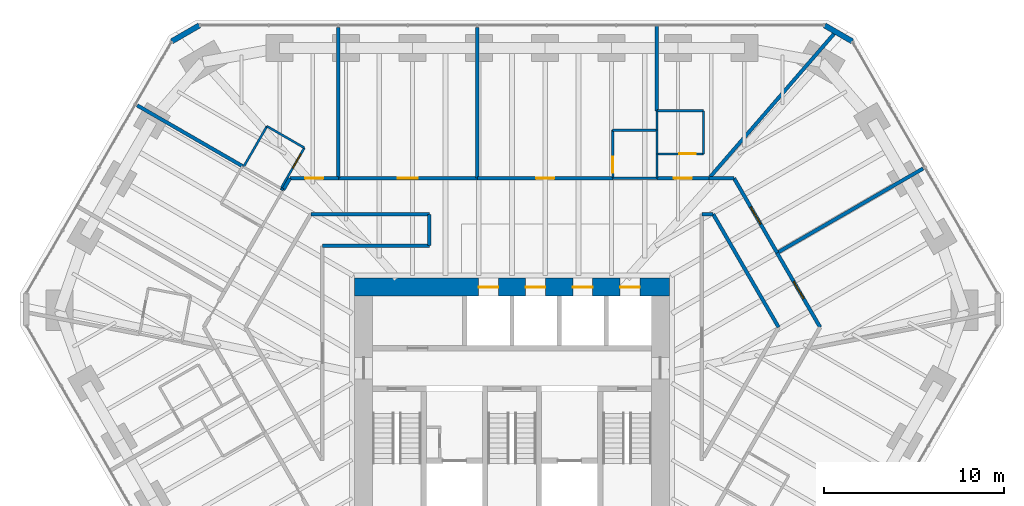
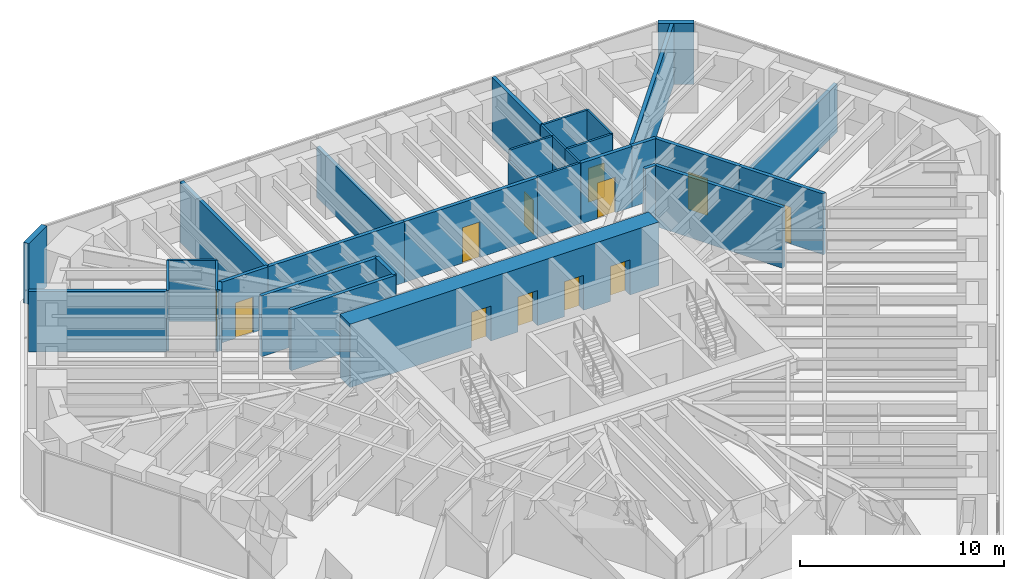
# One storey, part 14 of 16: 35 walls, 13 doors, 13 openings.
"""IFC4 building model written with IfcOpenShell, lengths in metres."""

from ifc_helpers import new_model, si_unit, direction, frame, frame_2d, origin, place, context, subcontext, project, spatial, rectangle, extrude, material, layer, layer_set, type_object, element, fill, save


model = new_model("IFC4")

# Units and contexts
model_context = context("Model", 3, precision=1e-05, world=origin(), true_north=direction((0.0, 1.0)))
body_context = subcontext(model_context, "Body", "Model", "MODEL_VIEW")
ifc_project = project(units=[si_unit("LENGTHUNIT", "METRE"), si_unit("AREAUNIT", "SQUARE_METRE"), si_unit("VOLUMEUNIT", "CUBIC_METRE"), si_unit("PLANEANGLEUNIT", "RADIAN"), si_unit("MASSUNIT", "GRAM", prefix="KILO")], contexts=[model_context])

# Site, building, storey
site_placement = place(None, origin())
site = spatial("IfcSite", under=ifc_project, at=site_placement, CompositionType="ELEMENT")
building_placement = place(site_placement, origin())
building = spatial("IfcBuilding", under=site, at=building_placement, Name="Sandreach Pilgrim Tower", CompositionType="ELEMENT")
storey_placement = place(building_placement, frame((0.0, 0.0, 225.0)))
storey = spatial("IfcBuildingStorey", under=building, at=storey_placement, Name="L56", CompositionType="ELEMENT", Elevation=225.0)

# Walls
ifc_material_1 = material(Name="Moisture-resistant gypsum board on steel studs", Category="steel")
ifc_layer_1 = layer(ifc_material_1, 0.1201171875)
ifc_layer_set_1 = layer_set([ifc_layer_1], Name="Bathroom partition 120")
wall_type_1 = type_object("IfcWallType", Name="Bathroom partition 120", PredefinedType="PARTITIONING", material=ifc_layer_set_1)
wall_1_placement = place(storey_placement, frame((-13.6298828125, 15.550048828125, 0.0), z_axis=(0.0, 0.0, 1.0), x_axis=(-0.498627694264, -0.866816256489, 0.0)))
element("IfcWall", 1, at=wall_1_placement, inside=storey, type_object=wall_type_1, Name="Bathroom partition L56-029", PredefinedType="PARTITIONING", context=body_context, shape_type="SweptSolid", body=[
    extrude(rectangle(XDim=2.607177734375, YDim=0.1201171875, at=frame_2d((1.3037109375, 0.0))), origin(), (0.0, 0.0, 1.0), 3.639892578125),
])
wall_2_placement = place(storey_placement, frame((-12.85009765625, 12.090087890625, 0.0), z_axis=(0.0, 0.0, 1.0), x_axis=(0.880471099922, -0.474099823035, 0.0)))
element("IfcWall", 2, at=wall_2_placement, inside=storey, type_object=wall_type_1, Name="Bathroom partition L56-030", PredefinedType="PARTITIONING", context=body_context, shape_type="SweptSolid", body=[
    extrude(rectangle(XDim=0.147705078125, YDim=0.1201171875, at=frame_2d((0.07373046875, 0.0))), origin(), (0.0, 0.0, 1.0), 3.639892578125),
])

# Wall, opening, door
wall_3_placement = place(storey_placement, frame((-12.85009765625, 12.090087890625, 0.0), z_axis=(0.0, 0.0, 1.0), x_axis=(0.498627694264, 0.866816256489, 0.0)))
wall_3 = element("IfcWall", 3, at=wall_3_placement, inside=storey, type_object=wall_type_1, Name="Bathroom partition L56-031", PredefinedType="PARTITIONING", context=body_context, shape_type="SweptSolid", body=[
    extrude(rectangle(XDim=2.607177734375, YDim=0.1201171875, at=frame_2d((1.3037109375, 0.0))), origin(), (0.0, 0.0, 1.0), 3.639892578125),
])
opening_1_placement = place(wall_3_placement, frame((1.300048828125, 0.0, 0.0)))
opening_1 = element("IfcOpeningElement", 4, at=opening_1_placement, cuts=wall_3, Name="Opening D09-16B", PredefinedType="OPENING", context=body_context, shape_type="SweptSolid", body=[
    extrude(rectangle(XDim=0.89990234375, YDim=2.030029296875, at=frame_2d((0.449951171875, 1.01513671875))), frame((0.0, 0.06005859375, 0.0), z_axis=(0.0, -1.0, 0.0), x_axis=(1.0, 0.0, 0.0)), (0.0, 0.0, 1.0), 0.1201171875),
])
ifc_material_2 = material(Name="Timber door, steel frame", Category="steel")
door_type_1 = type_object("IfcDoorType", Name="Bathroom door", OperationType="SINGLE_SWING_LEFT", PredefinedType="DOOR", material=ifc_material_2)
door_1_placement = place(opening_1_placement, origin())
door_1 = element("IfcDoor", 5, at=door_1_placement, inside=storey, type_object=door_type_1, Name="Door 5616B", OperationType="SINGLE_SWING_RIGHT", OverallHeight=2.030029296875, OverallWidth=0.89990234375, PredefinedType="DOOR", context=body_context, shape_type="SweptSolid", body=[
    extrude(rectangle(XDim=0.89990234375, YDim=2.030029296875, at=frame_2d((0.449951171875, 1.01513671875))), frame((0.0, 0.02490234375, 0.0), z_axis=(0.0, -1.0, 0.0), x_axis=(1.0, 0.0, 0.0)), (0.0, 0.0, 1.0), 0.050048828125),
])
fill(opening_1, door_1)

# Wall
wall_4_placement = place(storey_placement, frame((-11.550048828125, 14.35009765625, 0.0), z_axis=(0.0, 0.0, 1.0), x_axis=(-0.866177122335, 0.499737123639, 0.0)))
element("IfcWall", 6, at=wall_4_placement, inside=storey, type_object=wall_type_1, Name="Bathroom partition L56-035", PredefinedType="PARTITIONING", context=body_context, shape_type="SweptSolid", body=[
    extrude(rectangle(XDim=2.401123046875, YDim=0.1201171875, at=frame_2d((1.20068359375, 0.0))), origin(), (0.0, 0.0, 1.0), 3.639892578125),
])

# Wall, opening, door
wall_5_placement = place(storey_placement, frame((5.60009765625, 15.330078125, 0.0), z_axis=(0.0, 0.0, 1.0), x_axis=(0.003748716459, -0.999992973538, 0.0)))
wall_5 = element("IfcWall", 7, at=wall_5_placement, inside=storey, type_object=wall_type_1, Name="Bathroom partition L56-072", PredefinedType="PARTITIONING", context=body_context, shape_type="SweptSolid", body=[
    extrude(rectangle(XDim=2.670166015625, YDim=0.1201171875, at=frame_2d((1.3349609375, 0.0))), origin(), (0.0, 0.0, 1.0), 3.022705078125),
])
opening_2_placement = place(wall_5_placement, frame((1.469970703125, 0.0, 0.0)))
opening_2 = element("IfcOpeningElement", 8, at=opening_2_placement, cuts=wall_5, Name="Opening D09-02B", PredefinedType="OPENING", context=body_context, shape_type="SweptSolid", body=[
    extrude(rectangle(XDim=0.89990234375, YDim=2.030029296875, at=frame_2d((0.449951171875, 1.01513671875))), frame((0.0, 0.06005859375, 0.0), z_axis=(0.0, -1.0, 0.0), x_axis=(1.0, 0.0, 0.0)), (0.0, 0.0, 1.0), 0.1201171875),
])
door_2_placement = place(opening_2_placement, origin())
door_2 = element("IfcDoor", 9, at=door_2_placement, inside=storey, type_object=door_type_1, Name="Door 5602B", OperationType="SINGLE_SWING_RIGHT", OverallHeight=2.030029296875, OverallWidth=0.89990234375, PredefinedType="DOOR", context=body_context, shape_type="SweptSolid", body=[
    extrude(rectangle(XDim=0.89990234375, YDim=2.030029296875, at=frame_2d((0.449951171875, 1.01513671875))), frame((0.0, 0.02490234375, 0.0), z_axis=(0.0, -1.0, 0.0), x_axis=(1.0, 0.0, 0.0)), (0.0, 0.0, 1.0), 0.050048828125),
])
fill(opening_2, door_2)

# Walls
wall_6_placement = place(storey_placement, frame((8.06005859375, 12.659912109375, 0.0), z_axis=(0.0, 0.0, 1.0), x_axis=(-1.0, 0.0, 0.0)))
element("IfcWall", 10, at=wall_6_placement, inside=storey, type_object=wall_type_1, Name="Bathroom partition L56-082", PredefinedType="PARTITIONING", context=body_context, shape_type="SweptSolid", body=[
    extrude(rectangle(XDim=2.449951171875, YDim=0.1201171875, at=frame_2d((1.22509765625, 0.0))), origin(), (0.0, 0.0, 1.0), 3.639892578125),
])
wall_7_placement = place(storey_placement, frame((8.06005859375, 14.010009765625, 0.0), z_axis=(0.0, 0.0, 1.0), x_axis=(0.0, -1.0, 0.0)))
element("IfcWall", 11, at=wall_7_placement, inside=storey, type_object=wall_type_1, Name="Bathroom partition L56-083", PredefinedType="PARTITIONING", context=body_context, shape_type="SweptSolid", body=[
    extrude(rectangle(XDim=1.35009765625, YDim=0.1201171875, at=frame_2d((0.675048828125, 0.0))), origin(), (0.0, 0.0, 1.0), 3.639892578125),
])

# Wall, opening, door
wall_8_placement = place(storey_placement, frame((8.06005859375, 14.010009765625, 0.0), z_axis=(0.0, 0.0, 1.0), x_axis=(1.0, 0.0, 0.0)))
wall_8 = element("IfcWall", 12, at=wall_8_placement, inside=storey, type_object=wall_type_1, Name="Bathroom partition L56-084", PredefinedType="PARTITIONING", context=body_context, shape_type="SweptSolid", body=[
    extrude(rectangle(XDim=2.599853515625, YDim=0.1201171875, at=frame_2d((1.2998046875, 0.0))), origin(), (0.0, 0.0, 1.0), 3.639892578125),
])
opening_3_placement = place(wall_8_placement, frame((1.25, 0.0, 0.0)))
opening_3 = element("IfcOpeningElement", 13, at=opening_3_placement, cuts=wall_8, Name="Opening D09-03B", PredefinedType="OPENING", context=body_context, shape_type="SweptSolid", body=[
    extrude(rectangle(XDim=0.89990234375, YDim=2.030029296875, at=frame_2d((0.449951171875, 1.01513671875))), frame((0.0, 0.06005859375, 0.0), z_axis=(0.0, -1.0, 0.0), x_axis=(1.0, 0.0, 0.0)), (0.0, 0.0, 1.0), 0.1201171875),
])
door_3_placement = place(opening_3_placement, origin())
door_3 = element("IfcDoor", 14, at=door_3_placement, inside=storey, type_object=door_type_1, Name="Door 5603B", OperationType="SINGLE_SWING_RIGHT", OverallHeight=2.030029296875, OverallWidth=0.89990234375, PredefinedType="DOOR", context=body_context, shape_type="SweptSolid", body=[
    extrude(rectangle(XDim=0.89990234375, YDim=2.030029296875, at=frame_2d((0.449951171875, 1.01513671875))), frame((0.0, 0.02490234375, 0.0), z_axis=(0.0, -1.0, 0.0), x_axis=(1.0, 0.0, 0.0)), (0.0, 0.0, 1.0), 0.050048828125),
])
fill(opening_3, door_3)

# Walls
wall_9_placement = place(storey_placement, frame((8.06005859375, 15.330078125, 0.0), z_axis=(0.0, 0.0, 1.0), x_axis=(-1.0, 0.0, 0.0)))
element("IfcWall", 15, at=wall_9_placement, inside=storey, type_object=wall_type_1, Name="Bathroom partition L56-085", PredefinedType="PARTITIONING", context=body_context, shape_type="SweptSolid", body=[
    extrude(rectangle(XDim=2.4599609375, YDim=0.1201171875, at=frame_2d((1.22998046875, 0.0))), origin(), (0.0, 0.0, 1.0), 3.639892578125),
])
wall_10_placement = place(storey_placement, frame((8.06005859375, 15.330078125, 0.0), z_axis=(0.0, 0.0, 1.0), x_axis=(0.0, -1.0, 0.0)))
element("IfcWall", 16, at=wall_10_placement, inside=storey, type_object=wall_type_1, Name="Bathroom partition L56-086", PredefinedType="PARTITIONING", context=body_context, shape_type="SweptSolid", body=[
    extrude(rectangle(XDim=1.320068359375, YDim=0.1201171875, at=frame_2d((0.66015625, 0.0))), origin(), (0.0, 0.0, 1.0), 3.639892578125),
])
wall_11_placement = place(storey_placement, frame((8.06005859375, 16.409912109375, 0.0), z_axis=(0.0, 0.0, 1.0), x_axis=(0.0, -1.0, 0.0)))
element("IfcWall", 17, at=wall_11_placement, inside=storey, type_object=wall_type_1, Name="Bathroom partition L56-087", PredefinedType="PARTITIONING", context=body_context, shape_type="SweptSolid", body=[
    extrude(rectangle(XDim=1.079833984375, YDim=0.1201171875, at=frame_2d((0.5400390625, 0.0))), origin(), (0.0, 0.0, 1.0), 3.639892578125),
])
wall_12_placement = place(storey_placement, frame((10.659912109375, 14.010009765625, 0.0), z_axis=(0.0, 0.0, 1.0), x_axis=(0.0, 1.0, 0.0)))
element("IfcWall", 18, at=wall_12_placement, inside=storey, type_object=wall_type_1, Name="Bathroom partition L56-098", PredefinedType="PARTITIONING", context=body_context, shape_type="SweptSolid", body=[
    extrude(rectangle(XDim=2.39990234375, YDim=0.1201171875, at=frame_2d((1.199951171875, 0.0))), origin(), (0.0, 0.0, 1.0), 3.639892578125),
])
wall_13_placement = place(storey_placement, frame((10.659912109375, 16.409912109375, 0.0), z_axis=(0.0, 0.0, 1.0), x_axis=(-1.0, 0.0, 0.0)))
element("IfcWall", 19, at=wall_13_placement, inside=storey, type_object=wall_type_1, Name="Bathroom partition L56-099", PredefinedType="PARTITIONING", context=body_context, shape_type="SweptSolid", body=[
    extrude(rectangle(XDim=2.599853515625, YDim=0.1201171875, at=frame_2d((1.2998046875, 0.0))), origin(), (0.0, 0.0, 1.0), 3.639892578125),
])

# Wall, openings, doors
ifc_material_3 = material(Name="Concrete 10000 psi", Category="concrete")
ifc_layer_2 = layer(ifc_material_3, 1.0)
ifc_layer_set_2 = layer_set([ifc_layer_2], Name="Core wall 1000")
wall_type_2 = type_object("IfcWallType", Name="Core wall 1000", PredefinedType="SHEAR", material=ifc_layer_set_2)
wall_14_placement = place(storey_placement, frame((-8.75, 6.60009765625, 0.0), z_axis=(0.0, 0.0, 1.0), x_axis=(1.0, 0.0, 0.0)))
wall_14 = element("IfcWall", 20, at=wall_14_placement, inside=storey, type_object=wall_type_2, Name="Core wall N L56", PredefinedType="SHEAR", context=body_context, shape_type="SweptSolid", body=[
    extrude(rectangle(XDim=17.5, YDim=1.0, at=frame_2d((8.75, 0.0))), origin(), (0.0, 0.0, 1.0), 3.800048828125),
])
opening_4_placement = place(wall_14_placement, frame((6.887451171875, 0.0, 0.0)))
opening_4 = element("IfcOpeningElement", 21, at=opening_4_placement, cuts=wall_14, Name="Opening LD11", PredefinedType="OPENING", context=body_context, shape_type="SweptSolid", body=[
    extrude(rectangle(XDim=1.10009765625, YDim=2.10009765625, at=frame_2d((0.550048828125, 1.050048828125))), frame((0.0, 0.5, 0.0), z_axis=(0.0, -1.0, 0.0), x_axis=(1.0, 0.0, 0.0)), (0.0, 0.0, 1.0), 1.0),
])
opening_5_placement = place(wall_14_placement, frame((9.512451171875, 0.0, 0.0)))
opening_5 = element("IfcOpeningElement", 22, at=opening_5_placement, cuts=wall_14, Name="Opening LD11", PredefinedType="OPENING", context=body_context, shape_type="SweptSolid", body=[
    extrude(rectangle(XDim=1.10009765625, YDim=2.10009765625, at=frame_2d((0.550048828125, 1.050048828125))), frame((0.0, 0.5, 0.0), z_axis=(0.0, -1.0, 0.0), x_axis=(1.0, 0.0, 0.0)), (0.0, 0.0, 1.0), 1.0),
])
opening_6_placement = place(wall_14_placement, frame((12.137451171875, 0.0, 0.0)))
opening_6 = element("IfcOpeningElement", 23, at=opening_6_placement, cuts=wall_14, Name="Opening LD11", PredefinedType="OPENING", context=body_context, shape_type="SweptSolid", body=[
    extrude(rectangle(XDim=1.10009765625, YDim=2.10009765625, at=frame_2d((0.550048828125, 1.050048828125))), frame((0.0, 0.5, 0.0), z_axis=(0.0, -1.0, 0.0), x_axis=(1.0, 0.0, 0.0)), (0.0, 0.0, 1.0), 1.0),
])
opening_7_placement = place(wall_14_placement, frame((14.762451171875, 0.0, 0.0)))
opening_7 = element("IfcOpeningElement", 24, at=opening_7_placement, cuts=wall_14, Name="Opening LD11", PredefinedType="OPENING", context=body_context, shape_type="SweptSolid", body=[
    extrude(rectangle(XDim=1.10009765625, YDim=2.10009765625, at=frame_2d((0.550048828125, 1.050048828125))), frame((0.0, 0.5, 0.0), z_axis=(0.0, -1.0, 0.0), x_axis=(1.0, 0.0, 0.0)), (0.0, 0.0, 1.0), 1.0),
])
ifc_material_4 = material(Name="Steel door and frame", Category="steel")
door_type_2 = type_object("IfcDoorType", Name="Lift landing door", OperationType="DOUBLE_DOOR_SLIDING", PredefinedType="DOOR", material=ifc_material_4)
door_4_placement = place(opening_4_placement, origin())
door_4 = element("IfcDoor", 25, at=door_4_placement, inside=storey, type_object=door_type_2, Name="Lift landing door Z3A L56", OperationType="DOUBLE_DOOR_SLIDING", OverallHeight=2.10009765625, OverallWidth=1.10009765625, PredefinedType="DOOR", context=body_context, shape_type="SweptSolid", body=[
    extrude(rectangle(XDim=1.10009765625, YDim=2.10009765625, at=frame_2d((0.550048828125, 1.050048828125))), frame((0.0, 0.02490234375, 0.0), z_axis=(0.0, -1.0, 0.0), x_axis=(1.0, 0.0, 0.0)), (0.0, 0.0, 1.0), 0.050048828125),
])
fill(opening_4, door_4)
door_5_placement = place(opening_5_placement, origin())
door_5 = element("IfcDoor", 26, at=door_5_placement, inside=storey, type_object=door_type_2, Name="Lift landing door Z3B L56", OperationType="DOUBLE_DOOR_SLIDING", OverallHeight=2.10009765625, OverallWidth=1.10009765625, PredefinedType="DOOR", context=body_context, shape_type="SweptSolid", body=[
    extrude(rectangle(XDim=1.10009765625, YDim=2.10009765625, at=frame_2d((0.550048828125, 1.050048828125))), frame((0.0, 0.02490234375, 0.0), z_axis=(0.0, -1.0, 0.0), x_axis=(1.0, 0.0, 0.0)), (0.0, 0.0, 1.0), 0.050048828125),
])
fill(opening_5, door_5)
door_6_placement = place(opening_6_placement, origin())
door_6 = element("IfcDoor", 27, at=door_6_placement, inside=storey, type_object=door_type_2, Name="Lift landing door Z3C L56", OperationType="DOUBLE_DOOR_SLIDING", OverallHeight=2.10009765625, OverallWidth=1.10009765625, PredefinedType="DOOR", context=body_context, shape_type="SweptSolid", body=[
    extrude(rectangle(XDim=1.10009765625, YDim=2.10009765625, at=frame_2d((0.550048828125, 1.050048828125))), frame((0.0, 0.02490234375, 0.0), z_axis=(0.0, -1.0, 0.0), x_axis=(1.0, 0.0, 0.0)), (0.0, 0.0, 1.0), 0.050048828125),
])
fill(opening_6, door_6)
door_7_placement = place(opening_7_placement, origin())
door_7 = element("IfcDoor", 28, at=door_7_placement, inside=storey, type_object=door_type_2, Name="Lift landing door Z3D L56", OperationType="DOUBLE_DOOR_SLIDING", OverallHeight=2.10009765625, OverallWidth=1.10009765625, PredefinedType="DOOR", context=body_context, shape_type="SweptSolid", body=[
    extrude(rectangle(XDim=1.10009765625, YDim=2.10009765625, at=frame_2d((0.550048828125, 1.050048828125))), frame((0.0, 0.02490234375, 0.0), z_axis=(0.0, -1.0, 0.0), x_axis=(1.0, 0.0, 0.0)), (0.0, 0.0, 1.0), 0.050048828125),
])
fill(opening_7, door_7)

# Walls
ifc_material_5 = material(Name="Gypsum board on steel studs, two layers each side", Category="steel")
ifc_layer_3 = layer(ifc_material_5, 0.199951171875)
ifc_layer_set_3 = layer_set([ifc_layer_3], Name="Corridor wall 200")
wall_type_3 = type_object("IfcWallType", Name="Corridor wall 200", PredefinedType="PARTITIONING", material=ifc_layer_set_3)
wall_15_placement = place(storey_placement, frame((-12.71826171875, 12.01904296875, 0.0), z_axis=(0.0, 0.0, 1.0), x_axis=(0.498129744856, 0.867102506795, 0.0)))
element("IfcWall", 29, at=wall_15_placement, inside=storey, type_object=wall_type_3, Name="Corridor wall L56-032", PredefinedType="PARTITIONING", context=body_context, shape_type="SweptSolid", body=[
    extrude(rectangle(XDim=0.739013671875, YDim=0.199951171875, at=frame_2d((0.36962890625, 0.0))), origin(), (0.0, 0.0, 1.0), 3.639892578125),
])
wall_16_placement = place(storey_placement, frame((-11.18994140625, 10.659912109375, 0.0), z_axis=(0.0, 0.0, 1.0), x_axis=(1.0, 0.0, 0.0)))
element("IfcWall", 30, at=wall_16_placement, inside=storey, type_object=wall_type_3, Name="Corridor wall L56-036", PredefinedType="PARTITIONING", context=body_context, shape_type="SweptSolid", body=[
    extrude(rectangle(XDim=6.58984375, YDim=0.199951171875, at=frame_2d((3.294921875, 0.0))), origin(), (0.0, 0.0, 1.0), 3.639892578125),
])

# Wall, opening, door
wall_17_placement = place(storey_placement, frame((-9.659912109375, 12.659912109375, 0.0), z_axis=(0.0, 0.0, 1.0), x_axis=(-1.0, 0.0, 0.0)))
wall_17 = element("IfcWall", 31, at=wall_17_placement, inside=storey, type_object=wall_type_3, Name="Corridor wall L56-042", PredefinedType="PARTITIONING", context=body_context, shape_type="SweptSolid", body=[
    extrude(rectangle(XDim=2.690185546875, YDim=0.199951171875, at=frame_2d((1.34521484375, 0.0))), origin(), (0.0, 0.0, 1.0), 3.639892578125),
])
opening_8_placement = place(wall_17_placement, frame((0.844970703125, 0.0, 0.0)))
opening_8 = element("IfcOpeningElement", 32, at=opening_8_placement, cuts=wall_17, Name="Opening D10-16", PredefinedType="OPENING", context=body_context, shape_type="SweptSolid", body=[
    extrude(rectangle(XDim=1.0, YDim=2.1298828125, at=frame_2d((0.5, 1.06494140625))), frame((0.0, 0.10009765625, 0.0), z_axis=(0.0, -1.0, 0.0), x_axis=(1.0, 0.0, 0.0)), (0.0, 0.0, 1.0), 0.199951171875),
])
ifc_material_6 = material(Name="Steel door and frame", Category="steel")
door_type_3 = type_object("IfcDoorType", Name="Guest room entry door", OperationType="SINGLE_SWING_LEFT", PredefinedType="DOOR", material=ifc_material_6)
door_8_placement = place(opening_8_placement, origin())
door_8 = element("IfcDoor", 33, at=door_8_placement, inside=storey, type_object=door_type_3, Name="Door 5616", OperationType="SINGLE_SWING_LEFT", OverallHeight=2.1298828125, OverallWidth=1.0, PredefinedType="DOOR", context=body_context, shape_type="SweptSolid", body=[
    extrude(rectangle(XDim=1.0, YDim=2.1298828125, at=frame_2d((0.5, 1.06494140625))), frame((0.0, 0.02490234375, 0.0), z_axis=(0.0, -1.0, 0.0), x_axis=(1.0, 0.0, 0.0)), (0.0, 0.0, 1.0), 0.050048828125),
])
fill(opening_8, door_8)

# Walls
wall_18_placement = place(storey_placement, frame((-4.60009765625, 8.89990234375, 0.0), z_axis=(0.0, 0.0, 1.0), x_axis=(-1.0, 0.0, 0.0)))
element("IfcWall", 34, at=wall_18_placement, inside=storey, type_object=wall_type_3, Name="Corridor wall L56-049", PredefinedType="PARTITIONING", context=body_context, shape_type="SweptSolid", body=[
    extrude(rectangle(XDim=5.93994140625, YDim=0.199951171875, at=frame_2d((2.969970703125, 0.0))), origin(), (0.0, 0.0, 1.0), 3.639892578125),
])
wall_19_placement = place(storey_placement, frame((-4.60009765625, 10.64990234375, 0.0), z_axis=(0.0, 0.0, 1.0), x_axis=(0.0, -1.0, 0.0)))
element("IfcWall", 35, at=wall_19_placement, inside=storey, type_object=wall_type_3, Name="Corridor wall L56-050", PredefinedType="PARTITIONING", context=body_context, shape_type="SweptSolid", body=[
    extrude(rectangle(XDim=1.739990234375, YDim=0.199951171875, at=frame_2d((0.8701171875, 0.0))), origin(), (0.0, 0.0, 1.0), 3.639892578125),
])

# Wall, opening, door
wall_20_placement = place(storey_placement, frame((-1.929931640625, 12.659912109375, 0.0), z_axis=(0.0, 0.0, 1.0), x_axis=(-1.0, 0.0, 0.0)))
wall_20 = element("IfcWall", 36, at=wall_20_placement, inside=storey, type_object=wall_type_3, Name="Corridor wall L56-060", PredefinedType="PARTITIONING", context=body_context, shape_type="SweptSolid", body=[
    extrude(rectangle(XDim=7.72998046875, YDim=0.199951171875, at=frame_2d((3.864990234375, 0.0))), origin(), (0.0, 0.0, 1.0), 3.639892578125),
])
opening_9_placement = place(wall_20_placement, frame((3.31494140625, 0.0, 0.0)))
opening_9 = element("IfcOpeningElement", 37, at=opening_9_placement, cuts=wall_20, Name="Opening D11H-01", PredefinedType="OPENING", context=body_context, shape_type="SweptSolid", body=[
    extrude(rectangle(XDim=1.10009765625, YDim=2.199951171875, at=frame_2d((0.550048828125, 1.10009765625))), frame((0.0, 0.10009765625, 0.0), z_axis=(0.0, -1.0, 0.0), x_axis=(1.0, 0.0, 0.0)), (0.0, 0.0, 1.0), 0.199951171875),
])
ifc_material_7 = material(Name="Steel door and frame", Category="steel")
door_type_4 = type_object("IfcDoorType", Name="Back of house door", OperationType="SINGLE_SWING_LEFT", PredefinedType="DOOR", material=ifc_material_7)
door_9_placement = place(opening_9_placement, origin())
door_9 = element("IfcDoor", 38, at=door_9_placement, inside=storey, type_object=door_type_4, Name="Door 5601", OperationType="SINGLE_SWING_LEFT", OverallHeight=2.199951171875, OverallWidth=1.10009765625, PredefinedType="DOOR", context=body_context, shape_type="SweptSolid", body=[
    extrude(rectangle(XDim=1.10009765625, YDim=2.199951171875, at=frame_2d((0.550048828125, 1.10009765625))), frame((0.0, 0.02490234375, 0.0), z_axis=(0.0, -1.0, 0.0), x_axis=(1.0, 0.0, 0.0)), (0.0, 0.0, 1.0), 0.050048828125),
])
fill(opening_9, door_9)

wall_21_placement = place(storey_placement, frame((5.610107421875, 12.659912109375, 0.0), z_axis=(0.0, 0.0, 1.0), x_axis=(-1.0, 0.0, 0.0)))
wall_21 = element("IfcWall", 39, at=wall_21_placement, inside=storey, type_object=wall_type_3, Name="Corridor wall L56-073", PredefinedType="PARTITIONING", context=body_context, shape_type="SweptSolid", body=[
    extrude(rectangle(XDim=7.5400390625, YDim=0.199951171875, at=frame_2d((3.77001953125, 0.0))), origin(), (0.0, 0.0, 1.0), 3.639892578125),
])
opening_10_placement = place(wall_21_placement, frame((3.27001953125, 0.0, 0.0)))
opening_10 = element("IfcOpeningElement", 40, at=opening_10_placement, cuts=wall_21, Name="Opening D10-02", PredefinedType="OPENING", context=body_context, shape_type="SweptSolid", body=[
    extrude(rectangle(XDim=1.0, YDim=2.1298828125, at=frame_2d((0.5, 1.06494140625))), frame((0.0, 0.10009765625, 0.0), z_axis=(0.0, -1.0, 0.0), x_axis=(1.0, 0.0, 0.0)), (0.0, 0.0, 1.0), 0.199951171875),
])
door_10_placement = place(opening_10_placement, origin())
door_10 = element("IfcDoor", 41, at=door_10_placement, inside=storey, type_object=door_type_3, Name="Door 5602", OperationType="SINGLE_SWING_LEFT", OverallHeight=2.1298828125, OverallWidth=1.0, PredefinedType="DOOR", context=body_context, shape_type="SweptSolid", body=[
    extrude(rectangle(XDim=1.0, YDim=2.1298828125, at=frame_2d((0.5, 1.06494140625))), frame((0.0, 0.02490234375, 0.0), z_axis=(0.0, -1.0, 0.0), x_axis=(1.0, 0.0, 0.0)), (0.0, 0.0, 1.0), 0.050048828125),
])
fill(opening_10, door_10)

# Wall
wall_22_placement = place(storey_placement, frame((10.56005859375, 10.659912109375, 0.0), z_axis=(0.0, 0.0, 1.0), x_axis=(1.0, 0.0, 0.0)))
element("IfcWall", 42, at=wall_22_placement, inside=storey, type_object=wall_type_3, Name="Corridor wall L56-097", PredefinedType="PARTITIONING", context=body_context, shape_type="SweptSolid", body=[
    extrude(rectangle(XDim=0.6298828125, YDim=0.199951171875, at=frame_2d((0.31494140625, 0.0))), origin(), (0.0, 0.0, 1.0), 3.639892578125),
])

# Wall, opening, door
wall_23_placement = place(storey_placement, frame((10.9599609375, 12.659912109375, 0.0), z_axis=(0.0, 0.0, 1.0), x_axis=(-1.0, 0.0, 0.0)))
wall_23 = element("IfcWall", 43, at=wall_23_placement, inside=storey, type_object=wall_type_3, Name="Corridor wall L56-100", PredefinedType="PARTITIONING", context=body_context, shape_type="SweptSolid", body=[
    extrude(rectangle(XDim=2.89990234375, YDim=0.199951171875, at=frame_2d((1.449951171875, 0.0))), origin(), (0.0, 0.0, 1.0), 3.639892578125),
])
opening_11_placement = place(wall_23_placement, frame((0.949951171875, 0.0, 0.0)))
opening_11 = element("IfcOpeningElement", 44, at=opening_11_placement, cuts=wall_23, Name="Opening D10-03", PredefinedType="OPENING", context=body_context, shape_type="SweptSolid", body=[
    extrude(rectangle(XDim=1.0, YDim=2.1298828125, at=frame_2d((0.5, 1.06494140625))), frame((0.0, 0.10009765625, 0.0), z_axis=(0.0, -1.0, 0.0), x_axis=(1.0, 0.0, 0.0)), (0.0, 0.0, 1.0), 0.199951171875),
])
door_11_placement = place(opening_11_placement, origin())
door_11 = element("IfcDoor", 45, at=door_11_placement, inside=storey, type_object=door_type_3, Name="Door 5603", OperationType="SINGLE_SWING_LEFT", OverallHeight=2.1298828125, OverallWidth=1.0, PredefinedType="DOOR", context=body_context, shape_type="SweptSolid", body=[
    extrude(rectangle(XDim=1.0, YDim=2.1298828125, at=frame_2d((0.5, 1.06494140625))), frame((0.0, 0.02490234375, 0.0), z_axis=(0.0, -1.0, 0.0), x_axis=(1.0, 0.0, 0.0)), (0.0, 0.0, 1.0), 0.050048828125),
])
fill(opening_11, door_11)

# Walls
wall_24_placement = place(storey_placement, frame((11.18994140625, 10.659912109375, 0.0), z_axis=(0.0, 0.0, 1.0), x_axis=(0.500899863475, -0.865505243642, 0.0)))
element("IfcWall", 46, at=wall_24_placement, inside=storey, type_object=wall_type_3, Name="Corridor wall L56-101", PredefinedType="PARTITIONING", context=body_context, shape_type="SweptSolid", body=[
    extrude(rectangle(XDim=7.26708984375, YDim=0.199951171875, at=frame_2d((3.633544921875, 0.0))), origin(), (0.0, 0.0, 1.0), 3.639892578125),
])
wall_25_placement = place(storey_placement, frame((12.35009765625, 12.659912109375, 0.0), z_axis=(0.0, 0.0, 1.0), x_axis=(-1.0, 0.0, 0.0)))
element("IfcWall", 47, at=wall_25_placement, inside=storey, type_object=wall_type_3, Name="Corridor wall L56-104", PredefinedType="PARTITIONING", context=body_context, shape_type="SweptSolid", body=[
    extrude(rectangle(XDim=1.39013671875, YDim=0.199951171875, at=frame_2d((0.695068359375, 0.0))), origin(), (0.0, 0.0, 1.0), 3.639892578125),
])

# Wall, opening, door
wall_26_placement = place(storey_placement, frame((12.35009765625, 12.659912109375, 0.0), z_axis=(0.0, 0.0, 1.0), x_axis=(0.500618647881, -0.86566793252, 0.0)))
wall_26 = element("IfcWall", 48, at=wall_26_placement, inside=storey, type_object=wall_type_3, Name="Corridor wall L56-105", PredefinedType="PARTITIONING", context=body_context, shape_type="SweptSolid", body=[
    extrude(rectangle(XDim=4.7939453125, YDim=0.199951171875, at=frame_2d((2.39697265625, 0.0))), origin(), (0.0, 0.0, 1.0), 3.639892578125),
])
opening_12_placement = place(wall_26_placement, frame((1.846923828125, 0.0, 0.0)))
opening_12 = element("IfcOpeningElement", 49, at=opening_12_placement, cuts=wall_26, Name="Opening D11H-04", PredefinedType="OPENING", context=body_context, shape_type="SweptSolid", body=[
    extrude(rectangle(XDim=1.10009765625, YDim=2.199951171875, at=frame_2d((0.550048828125, 1.10009765625))), frame((0.0, 0.10009765625, 0.0), z_axis=(0.0, -1.0, 0.0), x_axis=(1.0, 0.0, 0.0)), (0.0, 0.0, 1.0), 0.199951171875),
])
door_12_placement = place(opening_12_placement, origin())
door_12 = element("IfcDoor", 50, at=door_12_placement, inside=storey, type_object=door_type_4, Name="Door 5604", OperationType="SINGLE_SWING_LEFT", OverallHeight=2.199951171875, OverallWidth=1.10009765625, PredefinedType="DOOR", context=body_context, shape_type="SweptSolid", body=[
    extrude(rectangle(XDim=1.10009765625, YDim=2.199951171875, at=frame_2d((0.550048828125, 1.10009765625))), frame((0.0, 0.02490234375, 0.0), z_axis=(0.0, -1.0, 0.0), x_axis=(1.0, 0.0, 0.0)), (0.0, 0.0, 1.0), 0.050048828125),
])
fill(opening_12, door_12)

wall_27_placement = place(storey_placement, frame((17.139892578125, 4.3701171875, 0.0), z_axis=(0.0, 0.0, 1.0), x_axis=(-0.501524901322, 0.865143209737, 0.0)))
wall_27 = element("IfcWall", 51, at=wall_27_placement, inside=storey, type_object=wall_type_3, Name="Corridor wall L56-112", PredefinedType="PARTITIONING", context=body_context, shape_type="SweptSolid", body=[
    extrude(rectangle(XDim=4.78515625, YDim=0.199951171875, at=frame_2d((2.392578125, 0.0))), origin(), (0.0, 0.0, 1.0), 3.639892578125),
])
opening_13_placement = place(wall_27_placement, frame((1.8427734375, 0.0, 0.0)))
opening_13 = element("IfcOpeningElement", 52, at=opening_13_placement, cuts=wall_27, Name="Opening D11H-05", PredefinedType="OPENING", context=body_context, shape_type="SweptSolid", body=[
    extrude(rectangle(XDim=1.10009765625, YDim=2.199951171875, at=frame_2d((0.550048828125, 1.10009765625))), frame((0.0, 0.10009765625, 0.0), z_axis=(0.0, -1.0, 0.0), x_axis=(1.0, 0.0, 0.0)), (0.0, 0.0, 1.0), 0.199951171875),
])
door_13_placement = place(opening_13_placement, origin())
door_13 = element("IfcDoor", 53, at=door_13_placement, inside=storey, type_object=door_type_4, Name="Door 5605", OperationType="SINGLE_SWING_LEFT", OverallHeight=2.199951171875, OverallWidth=1.10009765625, PredefinedType="DOOR", context=body_context, shape_type="SweptSolid", body=[
    extrude(rectangle(XDim=1.10009765625, YDim=2.199951171875, at=frame_2d((0.550048828125, 1.10009765625))), frame((0.0, 0.02490234375, 0.0), z_axis=(0.0, -1.0, 0.0), x_axis=(1.0, 0.0, 0.0)), (0.0, 0.0, 1.0), 0.050048828125),
])
fill(opening_13, door_13)

# Walls
ifc_material_8 = material(Name="Double steel stud acoustic wall, gypsum board", Category="steel")
ifc_layer_4 = layer(ifc_material_8, 0.199951171875)
ifc_layer_set_4 = layer_set([ifc_layer_4], Name="Party wall 200")
wall_type_4 = type_object("IfcWallType", Name="Party wall 200", PredefinedType="PARTITIONING", material=ifc_layer_set_4)
wall_28_placement = place(storey_placement, frame((-20.84619140625, 16.7099609375, 0.0), z_axis=(0.0, 0.0, 1.0), x_axis=(0.866102018567, -0.499867275818, 0.0)))
element("IfcWall", 54, at=wall_28_placement, inside=storey, type_object=wall_type_4, Name="Party wall L56-004", PredefinedType="PARTITIONING", context=body_context, shape_type="SweptSolid", body=[
    extrude(rectangle(XDim=6.761474609375, YDim=0.199951171875, at=frame_2d((3.380859375, 0.0))), origin(), (0.0, 0.0, 1.0), 3.639892578125),
])
wall_29_placement = place(storey_placement, frame((-9.659912109375, 12.669921875, 0.0), z_axis=(0.0, 0.0, 1.0), x_axis=(0.0, 1.0, 0.0)))
element("IfcWall", 55, at=wall_29_placement, inside=storey, type_object=wall_type_4, Name="Party wall L56-043", PredefinedType="PARTITIONING", context=body_context, shape_type="SweptSolid", body=[
    extrude(rectangle(XDim=8.3701171875, YDim=0.199951171875, at=frame_2d((4.18505859375, 0.0))), origin(), (0.0, 0.0, 1.0), 3.639892578125),
])
wall_30_placement = place(storey_placement, frame((-1.929931640625, 21.0400390625, 0.0), z_axis=(0.0, 0.0, 1.0), x_axis=(0.0, -1.0, 0.0)))
element("IfcWall", 56, at=wall_30_placement, inside=storey, type_object=wall_type_4, Name="Party wall L56-061", PredefinedType="PARTITIONING", context=body_context, shape_type="SweptSolid", body=[
    extrude(rectangle(XDim=8.3701171875, YDim=0.199951171875, at=frame_2d((4.18505859375, 0.0))), origin(), (0.0, 0.0, 1.0), 3.022705078125),
])
wall_31_placement = place(storey_placement, frame((8.06005859375, 21.1298828125, 0.0), z_axis=(0.0, 0.0, 1.0), x_axis=(0.0, -1.0, 0.0)))
element("IfcWall", 57, at=wall_31_placement, inside=storey, type_object=wall_type_4, Name="Party wall L56-088", PredefinedType="PARTITIONING", context=body_context, shape_type="SweptSolid", body=[
    extrude(rectangle(XDim=4.719970703125, YDim=0.199951171875, at=frame_2d((2.35986328125, 0.0))), origin(), (0.0, 0.0, 1.0), 3.639892578125),
])
wall_32_placement = place(storey_placement, frame((18.020263671875, 20.8173828125, 0.0), z_axis=(0.0, 0.0, 1.0), x_axis=(-0.654429261747, -0.756123231603, 0.0)))
element("IfcWall", 58, at=wall_32_placement, inside=storey, type_object=wall_type_4, Name="Party wall L56-113", PredefinedType="PARTITIONING", context=body_context, shape_type="SweptSolid", body=[
    extrude(rectangle(XDim=10.683349609375, YDim=0.199951171875, at=frame_2d((5.341796875, 0.0))), origin(), (0.0, 0.0, 1.0), 3.639892578125),
])
wall_33_placement = place(storey_placement, frame((22.8662109375, 13.199951171875, 0.0), z_axis=(0.0, 0.0, 1.0), x_axis=(-0.865840726882, -0.500319733442, 0.0)))
element("IfcWall", 59, at=wall_33_placement, inside=storey, type_object=wall_type_4, Name="Party wall L56-114", PredefinedType="PARTITIONING", context=body_context, shape_type="SweptSolid", body=[
    extrude(rectangle(XDim=9.363525390625, YDim=0.199951171875, at=frame_2d((4.681640625, 0.0))), origin(), (0.0, 0.0, 1.0), 2.8779296875),
])
ifc_material_9 = material(Name="Terracotta rainscreen on concrete", Category="masonry")
ifc_layer_5 = layer(ifc_material_9, 0.300048828125)
ifc_layer_set_5 = layer_set([ifc_layer_5], Name="Terracotta chamfer pier")
wall_type_5 = type_object("IfcWallType", Name="Terracotta chamfer pier", PredefinedType="SOLIDWALL", material=ifc_layer_set_5)
for number, where, z_axis, x_axis, name in (
    (60, (17.389892578125, 21.16015625, 0.0), (0.0, 0.0, 1.0), (0.866036293601, -0.499981137809, 0.0), "Chamfer pier L56 N"),
    (61, (-18.9228515625, 20.275146484375, 0.0), (0.0, 0.0, 1.0), (0.866036293601, 0.499981137809, 0.0), "Chamfer pier L56 NW"),
):
    element("IfcWall", number, at=place(storey_placement, frame(where, z_axis=z_axis, x_axis=x_axis)), inside=storey, type_object=wall_type_5, Name=name, PredefinedType="SOLIDWALL", context=body_context, shape_type="SweptSolid", body=[
        extrude(rectangle(XDim=1.77001953125, YDim=0.300048828125, at=frame_2d((0.885009765625, 0.0))), origin(), (0.0, 0.0, 1.0), 3.639892578125),
    ])

save(model, "model.ifc")
